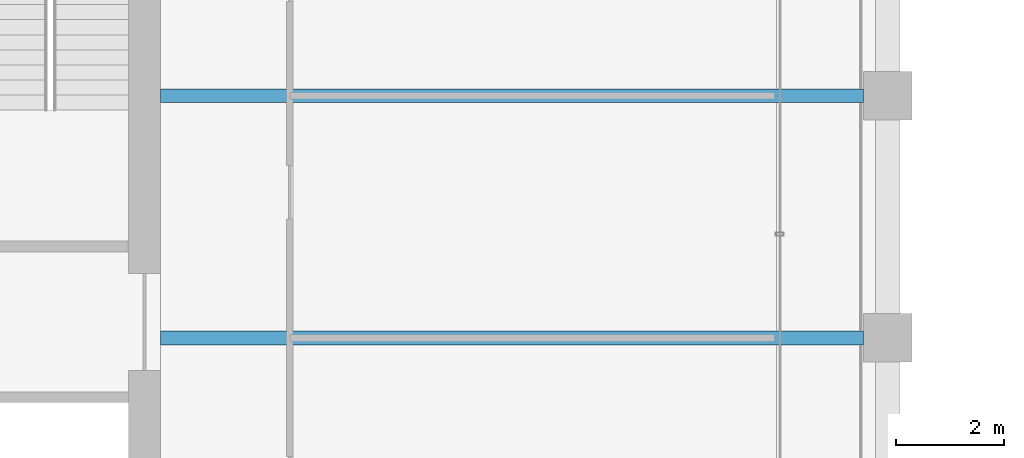
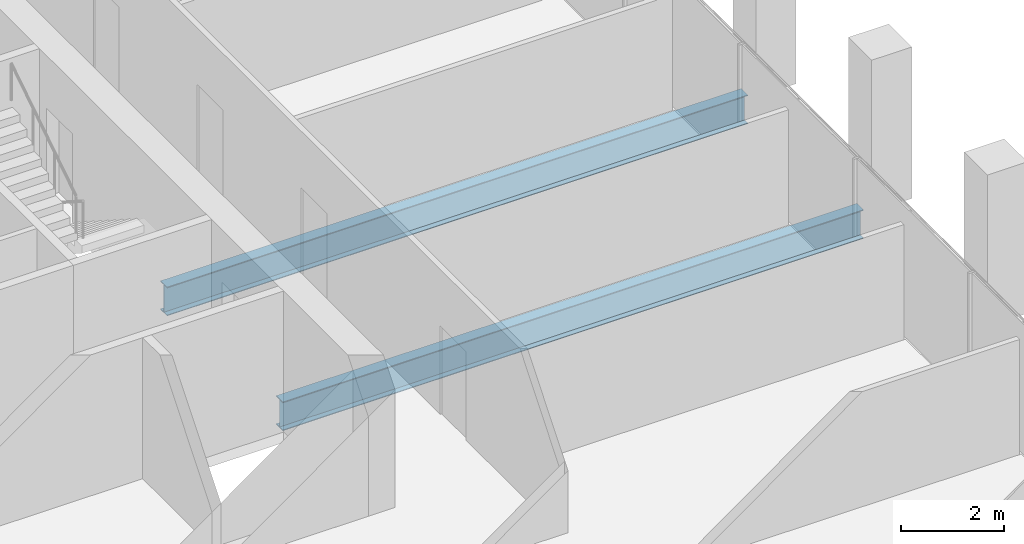
# One storey, part 16 of 40: 2 beams.
"""IFC4 building model written with IfcOpenShell, lengths in metres."""

from ifc_helpers import new_model, si_unit, direction, frame, origin, origin_2d, place, context, subcontext, project, spatial, i_section, extrude, material, material_profile, profile_set, type_object, element, save


model = new_model("IFC4")

# Units and contexts
model_context = context("Model", 3, precision=1e-05, world=origin(), true_north=direction((0.0, 1.0)))
body_context = subcontext(model_context, "Body", "Model", "MODEL_VIEW")
ifc_project = project(units=[si_unit("LENGTHUNIT", "METRE"), si_unit("AREAUNIT", "SQUARE_METRE"), si_unit("VOLUMEUNIT", "CUBIC_METRE"), si_unit("PLANEANGLEUNIT", "RADIAN"), si_unit("MASSUNIT", "GRAM", prefix="KILO")], contexts=[model_context])

# Site, building, storey
site_placement = place(None, origin())
site = spatial("IfcSite", under=ifc_project, at=site_placement, CompositionType="ELEMENT")
building_placement = place(site_placement, origin())
building = spatial("IfcBuilding", under=site, at=building_placement, Name="Altepetl Exchange Towers", CompositionType="ELEMENT")
storey_placement = place(building_placement, frame((0.0, 0.0, 179.800048828125)))
storey = spatial("IfcBuildingStorey", under=building, at=storey_placement, Name="L45", CompositionType="ELEMENT", Elevation=179.800048828125)

# Beams
ifc_material = material(Name="Steel S355", Category="steel")
ifc_material_profile = material_profile(ifc_material, i_section(OverallWidth=0.25390625, OverallDepth=0.68408203125, WebThickness=0.012451171875, FlangeThickness=0.018798828125, at=origin_2d()), Name="W27X94")
ifc_profile_set = profile_set([ifc_material_profile], Name="Steel S355")
beam_type = type_object("IfcBeamType", Name="Floor beam W27X94", PredefinedType="BEAM", material=ifc_profile_set)
for number, where, z_axis, x_axis, name in (
    (1, (58.5, 45.0, -0.491943359375), (1.0, 0.0, 0.0), (0.0, 1.0, 0.0), "bm:A:L45:009"),
    (2, (58.5, 49.5, -0.491943359375), (1.0, 0.0, 0.0), (0.0, 1.0, 0.0), "bm:A:L45:010"),
):
    element("IfcBeam", number, at=place(storey_placement, frame(where, z_axis=z_axis, x_axis=x_axis)), inside=storey, type_object=beam_type, Name=name, PredefinedType="BEAM", context=body_context, shape_type="SweptSolid", body=[
        extrude(i_section(OverallWidth=0.25390625, OverallDepth=0.68408203125, WebThickness=0.012451171875, FlangeThickness=0.018798828125, at=origin_2d()), origin(), (0.0, 0.0, 1.0), 13.050048828125),
    ])

save(model, "model.ifc")
